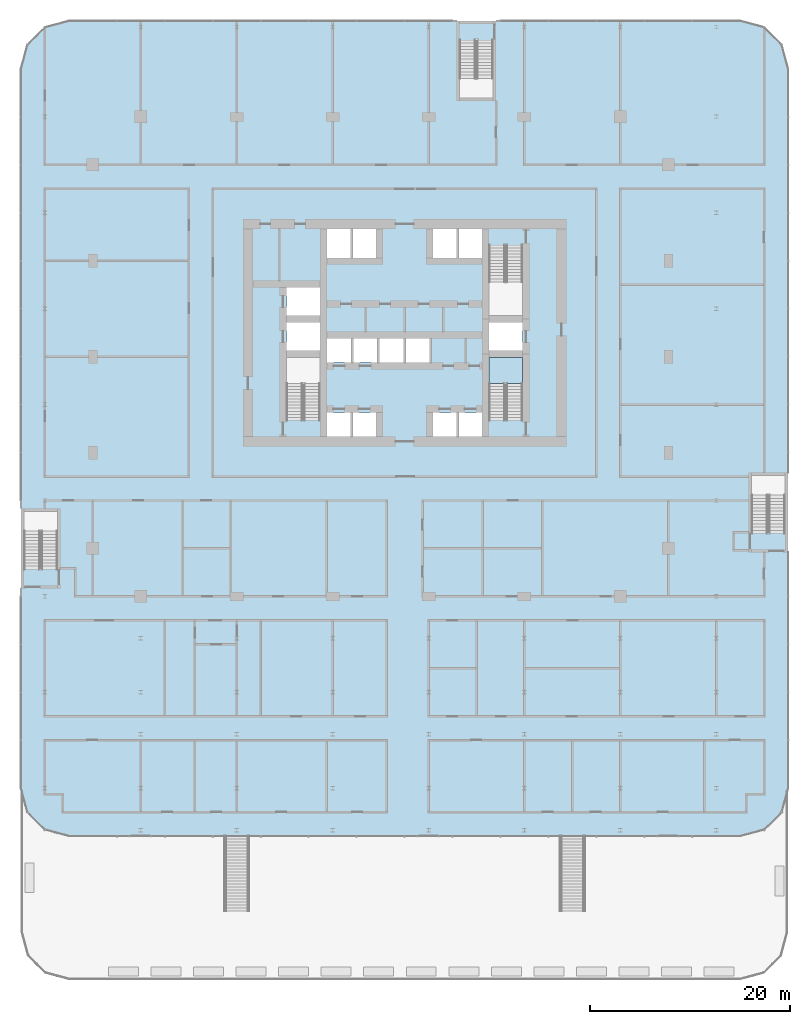
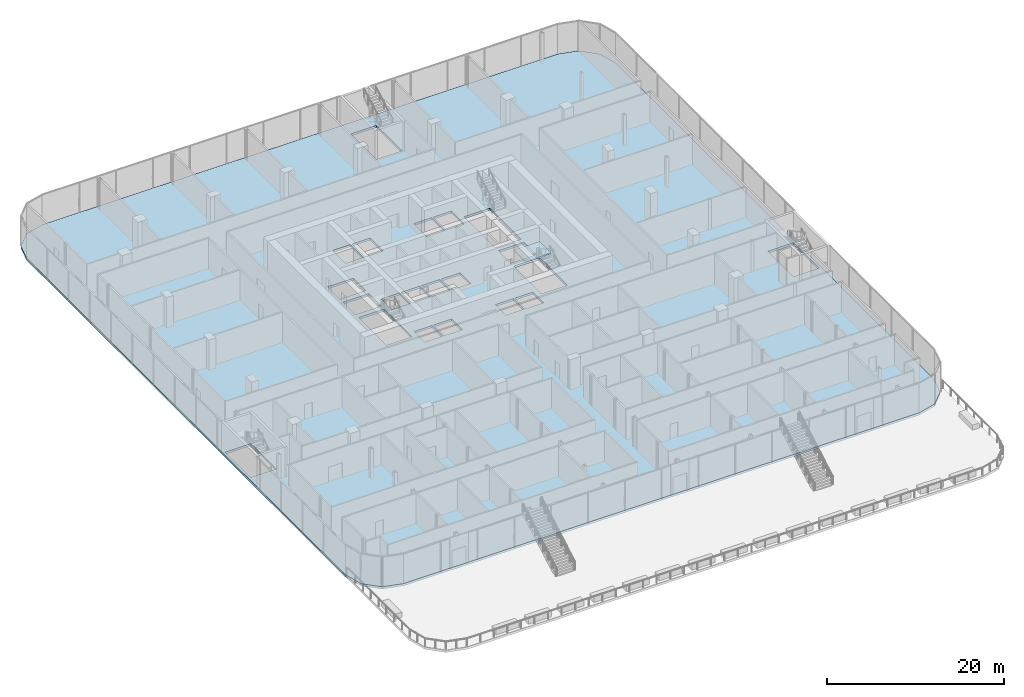
# One storey, part 24 of 43: 2 slabs, 1 element without a shape of its own.
"""IFC4 building model written with IfcOpenShell, lengths in metres."""

from ifc_helpers import new_model, si_unit, direction, frame, origin, place, context, subcontext, project, spatial, polyline, outline, extrude, material, layer, layer_set, type_object, element, aggregate, save


model = new_model("IFC4")

# Units and contexts
model_context = context("Model", 3, precision=1e-05, world=origin(), true_north=direction((0.0, 1.0)))
body_context = subcontext(model_context, "Body", "Model", "MODEL_VIEW")
ifc_project = project(units=[si_unit("LENGTHUNIT", "METRE"), si_unit("AREAUNIT", "SQUARE_METRE"), si_unit("VOLUMEUNIT", "CUBIC_METRE"), si_unit("PLANEANGLEUNIT", "RADIAN"), si_unit("MASSUNIT", "GRAM", prefix="KILO")], contexts=[model_context])

# Site, building, storey
site_placement = place(None, origin())
site = spatial("IfcSite", under=ifc_project, at=site_placement, CompositionType="ELEMENT")
building_placement = place(site_placement, origin())
building = spatial("IfcBuilding", under=site, at=building_placement, Name="Madar Terraces", CompositionType="ELEMENT")
storey_placement = place(building_placement, frame((0.0, 0.0, 10.5)))
storey = spatial("IfcBuildingStorey", under=building, at=storey_placement, Name="L02", CompositionType="ELEMENT", Elevation=10.5)

# Slab
ifc_material_1 = material(Name="Concrete C50/60", Category="concrete")
ifc_layer_1 = layer(ifc_material_1, 0.300048828125)
ifc_layer_set_1 = layer_set([ifc_layer_1], Name="FS2 PT flat slab 300")
slab_type_1 = type_object("IfcSlabType", Name="FS2 PT flat slab 300", PredefinedType="FLOOR", material=ifc_layer_set_1)
slab_1_placement = place(storey_placement, frame((0.0, 0.0, -0.300048828125)))
element("IfcSlab", 1, at=slab_1_placement, inside=storey, type_object=slab_type_1, Name="Floor slab L02 (1)", PredefinedType="FLOOR", context=body_context, shape_type="SweptSolid", body=[
    extrude(outline(polyline([(64.800048828125, -24.0), (67.199951171875, -23.35693359375), (68.95703125, -21.60009765625), (69.60009765625, -19.199951171875), (69.60009765625, 52.800048828125), (68.95703125, 55.199951171875), (67.199951171875, 56.95703125), (64.800048828125, 57.60009765625), (-2.39990234375, 57.60009765625), (-4.800048828125, 56.95703125), (-6.556884765625, 55.199951171875), (-7.199951171875, 52.800048828125), (-7.199951171875, -19.199951171875), (-6.556884765625, -21.60009765625), (-4.800048828125, -23.35693359375), (-2.39990234375, -24.0), (64.800048828125, -24.0)]), holes=[polyline([(-6.89990234375, 2.75), (-6.89990234375, 8.5), (-3.550048828125, 8.5), (-3.550048828125, 2.75), (-6.89990234375, 2.75)]), polyline([(23.449951171875, 16.0), (23.449951171875, 18.39990234375), (25.800048828125, 18.39990234375), (25.800048828125, 16.0), (23.449951171875, 16.0)]), polyline([(26.0, 16.0), (26.0, 18.39990234375), (28.35009765625, 18.39990234375), (28.35009765625, 16.0), (26.0, 16.0)]), polyline([(19.39990234375, 23.89990234375), (22.75, 23.89990234375), (22.75, 17.64990234375), (19.39990234375, 17.64990234375), (19.39990234375, 23.89990234375)]), polyline([(23.449951171875, 25.800048828125), (25.86669921875, 25.800048828125), (25.86669921875, 23.39990234375), (23.449951171875, 23.39990234375), (23.449951171875, 25.800048828125)]), polyline([(26.066650390625, 23.39990234375), (26.066650390625, 25.800048828125), (28.4833984375, 25.800048828125), (28.4833984375, 23.39990234375), (26.066650390625, 23.39990234375)]), polyline([(28.683349609375, 23.39990234375), (28.683349609375, 25.800048828125), (31.10009765625, 25.800048828125), (31.10009765625, 23.39990234375), (28.683349609375, 23.39990234375)]), polyline([(19.39990234375, 24.60009765625), (19.39990234375, 27.39990234375), (22.75, 27.39990234375), (22.75, 24.60009765625), (19.39990234375, 24.60009765625)]), polyline([(19.39990234375, 30.89990234375), (22.75, 30.89990234375), (22.75, 28.10009765625), (19.39990234375, 28.10009765625), (19.39990234375, 30.89990234375)]), polyline([(23.449951171875, 36.800048828125), (25.800048828125, 36.800048828125), (25.800048828125, 33.89990234375), (23.449951171875, 33.89990234375), (23.449951171875, 36.800048828125)]), polyline([(26.0, 33.89990234375), (26.0, 36.800048828125), (28.35009765625, 36.800048828125), (28.35009765625, 33.89990234375), (26.0, 33.89990234375)]), polyline([(65.949951171875, 6.35009765625), (65.949951171875, 12.10009765625), (69.300048828125, 12.10009765625), (69.300048828125, 6.35009765625), (65.949951171875, 6.35009765625)]), polyline([(34.050048828125, 16.0), (34.050048828125, 18.39990234375), (36.39990234375, 18.39990234375), (36.39990234375, 16.0), (34.050048828125, 16.0)]), polyline([(36.60009765625, 18.39990234375), (38.949951171875, 18.39990234375), (38.949951171875, 16.0), (36.60009765625, 16.0), (36.60009765625, 18.39990234375)]), polyline([(39.64990234375, 23.89990234375), (43.0, 23.89990234375), (43.0, 17.64990234375), (39.64990234375, 17.64990234375), (39.64990234375, 23.89990234375)]), polyline([(31.300048828125, 23.39990234375), (31.300048828125, 25.800048828125), (33.716552734375, 25.800048828125), (33.716552734375, 23.39990234375), (31.300048828125, 23.39990234375)]), polyline([(39.64990234375, 27.39990234375), (43.0, 27.39990234375), (43.0, 24.60009765625), (39.64990234375, 24.60009765625), (39.64990234375, 27.39990234375)]), polyline([(39.64990234375, 35.14990234375), (43.0, 35.14990234375), (43.0, 28.10009765625), (39.64990234375, 28.10009765625), (39.64990234375, 35.14990234375)]), polyline([(34.050048828125, 33.89990234375), (34.050048828125, 36.800048828125), (36.39990234375, 36.800048828125), (36.39990234375, 33.89990234375), (34.050048828125, 33.89990234375)]), polyline([(36.60009765625, 36.800048828125), (38.949951171875, 36.800048828125), (38.949951171875, 33.89990234375), (36.60009765625, 33.89990234375), (36.60009765625, 36.800048828125)]), polyline([(36.699951171875, 55.64990234375), (40.050048828125, 55.64990234375), (40.050048828125, 49.89990234375), (36.699951171875, 49.89990234375), (36.699951171875, 55.64990234375)])]), origin(), (0.0, 0.0, 1.0), 0.300048828125),
])

# Stair, slab
ifc_material_2 = material(Name="Concrete C50/60", Category="concrete")
stair_type = type_object("IfcStairType", Name="Stair ST3 protected exit", PredefinedType="HALF_TURN_STAIR", material=ifc_material_2)
stair_placement = place(storey_placement, origin())
stair = element("IfcStair", 2, at=stair_placement, inside=storey, type_object=stair_type, Name="L02 Protected Exit Stair ST3", PredefinedType="HALF_TURN_STAIR")
ifc_material_3 = material(Name="Concrete C50/60", Category="concrete")
ifc_layer_2 = layer(ifc_material_3, 0.199951171875)
ifc_layer_set_2 = layer_set([ifc_layer_2], Name="Stair landing 200, top +2.25")
slab_type_2 = type_object("IfcSlabType", Name="Stair landing 200, top +2.25", PredefinedType="LANDING", material=ifc_layer_set_2)
slab_2_placement = place(storey_placement, frame((0.0, 0.0, 2.050048828125)))
slab_2 = element("IfcSlab", 3, at=slab_2_placement, type_object=slab_type_2, Name="ST3 landing 1", PredefinedType="LANDING", context=body_context, shape_type="SweptSolid", body=[
    extrude(outline(polyline([(39.64990234375, 21.2900390625), (43.0, 21.2900390625), (43.0, 23.89990234375), (39.64990234375, 23.89990234375), (39.64990234375, 21.2900390625)])), origin(), (0.0, 0.0, 1.0), 0.199951171875),
])
aggregate(stair, [slab_2])

save(model, "model.ifc")
